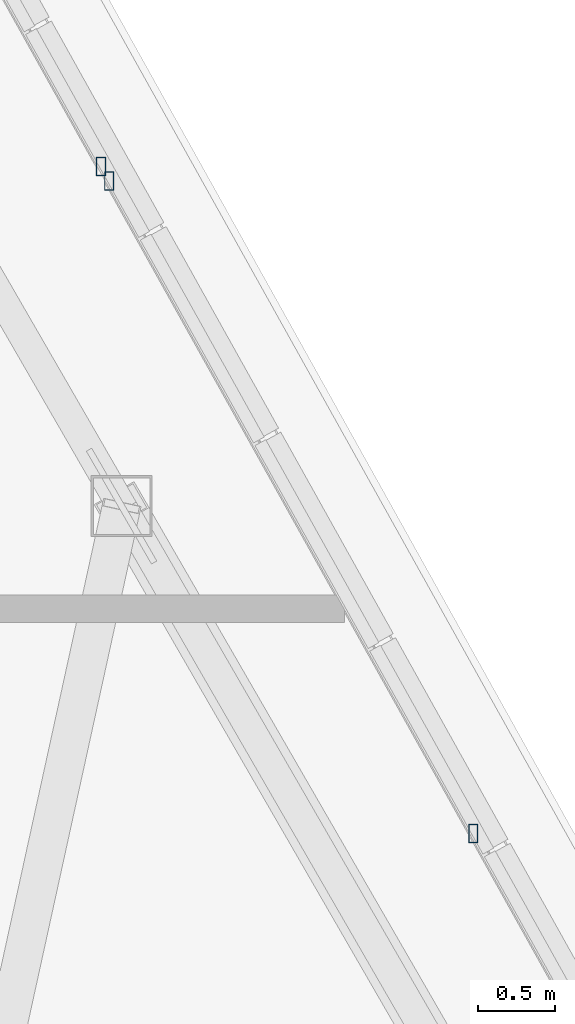
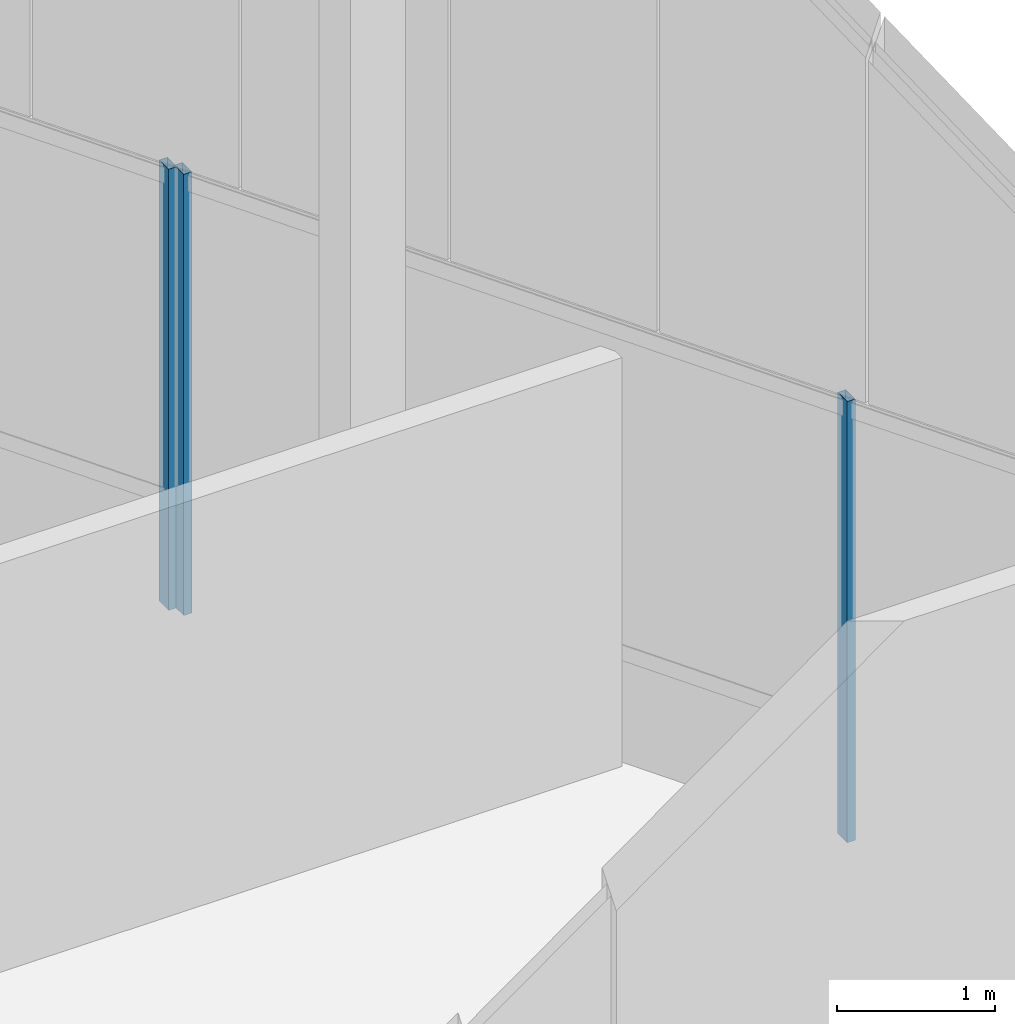
# One storey, part 34 of 50: 3 members, 2 elements without a shape of their own.
"""IFC4 building model written with IfcOpenShell, lengths in metres."""

from ifc_helpers import new_model, si_unit, direction, frame, origin, origin_2d, place, context, subcontext, project, spatial, hollow_rectangle, extrude, source, transform, mapped, material, material_profile, profile_set, type_object, type_shapes, element, aggregate, save


model = new_model("IFC4")

# Units and contexts
model_context = context("Model", 3, precision=1e-05, world=origin(), true_north=direction((0.0, 1.0)))
body_context = subcontext(model_context, "Body", "Model", "MODEL_VIEW")
ifc_project = project(units=[si_unit("LENGTHUNIT", "METRE"), si_unit("AREAUNIT", "SQUARE_METRE"), si_unit("VOLUMEUNIT", "CUBIC_METRE"), si_unit("PLANEANGLEUNIT", "RADIAN"), si_unit("MASSUNIT", "GRAM", prefix="KILO")], contexts=[model_context])

# Site, building, storey
site_placement = place(None, origin())
site = spatial("IfcSite", under=ifc_project, at=site_placement, CompositionType="ELEMENT")
building_placement = place(site_placement, origin())
building = spatial("IfcBuilding", under=site, at=building_placement, Name="Caelisora Broadcast Tower", CompositionType="ELEMENT")
storey_placement = place(building_placement, frame((0.0, 0.0, 303.39990234375)))
storey = spatial("IfcBuildingStorey", under=building, at=storey_placement, Name="L80", CompositionType="ELEMENT", Elevation=303.39990234375)

# Curtain wall, member
ifc_material_1 = material(Name="Unitised Aluminium Insulated Shadow-Box Spandrel Curtain Wall", Category="aluminium")
curtain_wall_type = type_object("IfcCurtainWallType", Name="CW-SP3", PredefinedType="NOTDEFINED", material=ifc_material_1)
curtain_wall_1_placement = place(storey_placement, origin())
curtain_wall_1 = element("IfcCurtainWall", 1, at=curtain_wall_1_placement, inside=storey, type_object=curtain_wall_type, Name="L80 curtain wall CW-SP3", PredefinedType="NOTDEFINED")
ifc_material_2 = material(Name="Aluminium 6063-T6 Anodised Terracotta Bronze", Category="aluminium")
ifc_material_profile = material_profile(ifc_material_2, hollow_rectangle(XDim=0.06005859375, YDim=0.1201171875, WallThickness=0.0029296875, at=origin_2d()), Name="Aluminium 6063-T6 Anodised Terracotta Bronze")
ifc_profile_set = profile_set([ifc_material_profile], Name="Aluminium 6063-T6 Anodised Terracotta Bronze")
member_type = type_object("IfcMemberType", Name="CWM-04", PredefinedType="MULLION", material=ifc_profile_set)
shared_shape = source(origin(), body_context, "Body", "SweptSolid", [
    extrude(hollow_rectangle(XDim=0.06005859375, YDim=0.1201171875, WallThickness=0.0029296875, at=origin_2d()), origin(), (0.0, 0.0, 1.0), 3.400146484375),
])
type_shapes(member_type, [shared_shape])
member_1_placement = place(storey_placement, frame((46.716552734375, 38.386474609375, 0.0), z_axis=(0.0, 0.0, 1.0), x_axis=(1.0, 0.0, 0.0)))
member_1 = element("IfcMember", 2, at=member_1_placement, type_object=member_type, Name="L80-CW-B01 mullion #3", PredefinedType="MULLION", context=body_context, shape_type="MappedRepresentation", body=[
    mapped(shared_shape, transform((0.0, 0.0, 0.0), scale=1.0)),
])
aggregate(curtain_wall_1, [member_1])

# Curtain wall, members
curtain_wall_2_placement = place(storey_placement, origin())
curtain_wall_2 = element("IfcCurtainWall", 3, at=curtain_wall_2_placement, inside=storey, type_object=curtain_wall_type, Name="L80 curtain wall CW-SP3", PredefinedType="NOTDEFINED")
member_2_placement = place(storey_placement, frame((46.77001953125, 38.290283203125, 0.0), z_axis=(0.0, 0.0, 1.0), x_axis=(1.0, 0.0, 0.0)))
member_2 = element("IfcMember", 4, at=member_2_placement, type_object=member_type, Name="L80-CW-B02 mullion #0", PredefinedType="MULLION", context=body_context, shape_type="MappedRepresentation", body=[
    mapped(shared_shape, transform((0.0, 0.0, 0.0), scale=1.0)),
])
member_3_placement = place(storey_placement, frame((49.14697265625, 34.03076171875, 0.0), z_axis=(0.0, 0.0, 1.0), x_axis=(1.0, 0.0, 0.0)))
member_3 = element("IfcMember", 5, at=member_3_placement, type_object=member_type, Name="L80-CW-B02 mullion #1", PredefinedType="MULLION", context=body_context, shape_type="MappedRepresentation", body=[
    mapped(shared_shape, transform((0.0, 0.0, 0.0), scale=1.0)),
])
aggregate(curtain_wall_2, [member_2, member_3])

save(model, "model.ifc")
